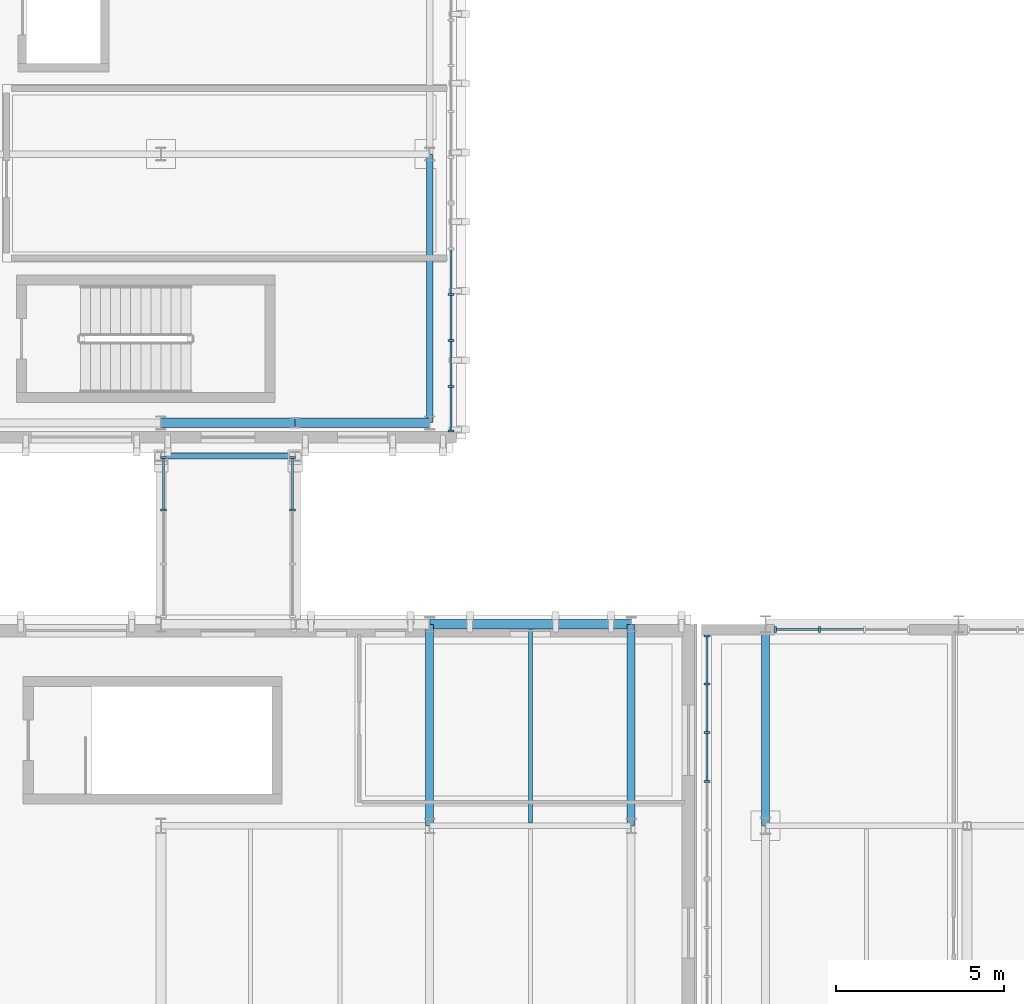
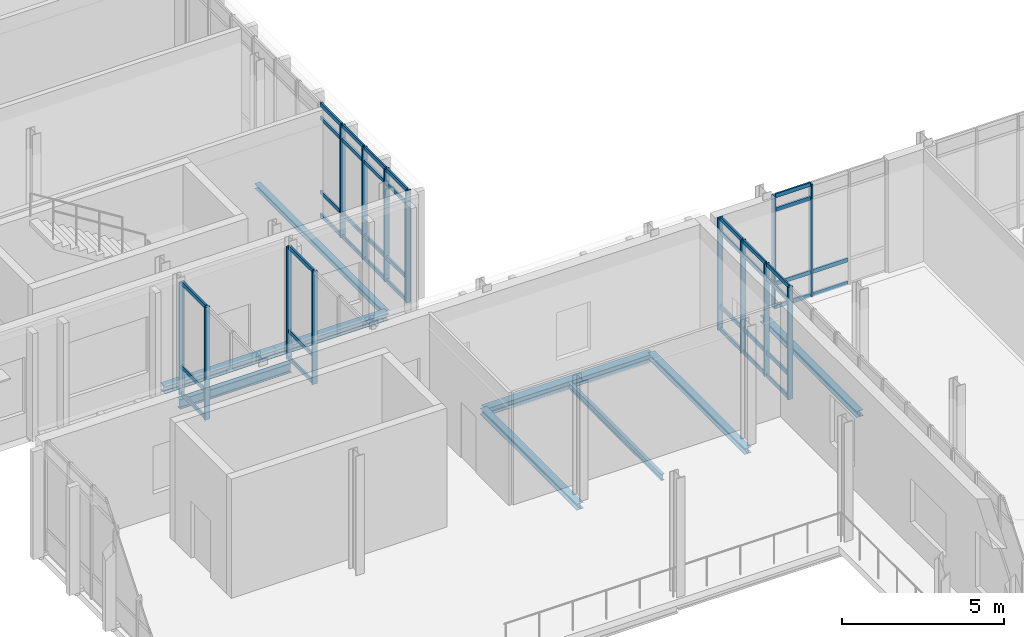
# One storey, part 24 of 100: 54 members, 9 beams, 5 elements without a shape of their own.
"""IFC4 building model written with IfcOpenShell, lengths in metres."""

from ifc_helpers import new_model, si_unit, direction, frame, origin, origin_2d, place, context, subcontext, project, spatial, rectangle, i_section, extrude, material, material_profile, profile_set, type_object, element, aggregate, save


model = new_model("IFC4")

# Units and contexts
model_context = context("Model", 3, precision=1e-05, world=origin(), true_north=direction((0.0, 1.0)))
body_context = subcontext(model_context, "Body", "Model", "MODEL_VIEW")
ifc_project = project(units=[si_unit("LENGTHUNIT", "METRE"), si_unit("AREAUNIT", "SQUARE_METRE"), si_unit("VOLUMEUNIT", "CUBIC_METRE"), si_unit("PLANEANGLEUNIT", "RADIAN"), si_unit("MASSUNIT", "GRAM", prefix="KILO")], contexts=[model_context])

# Site, building, storey
site_placement = place(None, origin())
site = spatial("IfcSite", under=ifc_project, at=site_placement, CompositionType="ELEMENT")
building_placement = place(site_placement, origin())
building = spatial("IfcBuilding", under=site, at=building_placement, Name="Cymarion Research Institute", CompositionType="ELEMENT")
storey_placement = place(building_placement, frame((0.0, 0.0, 9.300048828125)))
storey = spatial("IfcBuildingStorey", under=building, at=storey_placement, Name="L02", CompositionType="ELEMENT", Elevation=9.300048828125)

# Curtain wall, members
ifc_material_1 = material(Name="Anodised aluminium unitised curtain wall with Low-E glazing", Category="aluminium")
curtain_wall_type_1 = type_object("IfcCurtainWallType", Name="UNITISED CURTAIN WALL CW13 4030X4250", PredefinedType="NOTDEFINED", material=ifc_material_1)
curtain_wall_1_placement = place(storey_placement, origin())
curtain_wall_1 = element("IfcCurtainWall", 1, at=curtain_wall_1_placement, inside=storey, type_object=curtain_wall_type_1, Name="L02 V2 unitised curtain wall CW13 #87", PredefinedType="NOTDEFINED")
ifc_material_2 = material(Name="Anodised aluminium framing", Category="aluminium")
ifc_material_profile_1 = material_profile(ifc_material_2, rectangle(XDim=0.06005859375, YDim=0.179931640625, at=origin_2d()), Name="ALU MULLION 60x180")
ifc_profile_set_1 = profile_set([ifc_material_profile_1], Name="Anodised aluminium framing")
member_type_1 = type_object("IfcMemberType", Name="CURTAIN WALL MULLION ML01 60X180", PredefinedType="MULLION", material=ifc_profile_set_1)
member_1_placement = place(storey_placement, frame((58.202392578125, 41.340087890625, 0.0), z_axis=(0.0, 0.0, 1.0), x_axis=(-1.0, 0.0, 0.0)))
member_1 = element("IfcMember", 2, at=member_1_placement, type_object=member_type_1, Name="CW13 mullion 3", PredefinedType="MULLION", context=body_context, shape_type="SweptSolid", body=[
    extrude(rectangle(XDim=0.06005859375, YDim=0.179931640625, at=origin_2d()), origin(), (0.0, 0.0, 1.0), 4.25),
])
member_2_placement = place(storey_placement, frame((56.889892578125, 41.340087890625, 0.0), z_axis=(0.0, 0.0, 1.0), x_axis=(-1.0, 0.0, 0.0)))
member_2 = element("IfcMember", 3, at=member_2_placement, type_object=member_type_1, Name="CW13 mullion 4", PredefinedType="MULLION", context=body_context, shape_type="SweptSolid", body=[
    extrude(rectangle(XDim=0.06005859375, YDim=0.179931640625, at=origin_2d()), origin(), (0.0, 0.0, 1.0), 4.25),
])

curtain_wall_type_2 = type_object("IfcCurtainWallType", Name="UNITISED CURTAIN WALL CW14 7260X4250", PredefinedType="NOTDEFINED", material=ifc_material_1)
curtain_wall_2_placement = place(storey_placement, origin())
curtain_wall_2 = element("IfcCurtainWall", 4, at=curtain_wall_2_placement, inside=storey, type_object=curtain_wall_type_2, Name="L02 V2 unitised curtain wall CW14 #88", PredefinedType="NOTDEFINED")
member_3_placement = place(storey_placement, frame((54.860107421875, 41.14990234375, 0.0), z_axis=(0.0, 0.0, 1.0), x_axis=(0.0, -1.0, 0.0)))
member_3 = element("IfcMember", 5, at=member_3_placement, type_object=member_type_1, Name="CW14 mullion 1", PredefinedType="MULLION", context=body_context, shape_type="SweptSolid", body=[
    extrude(rectangle(XDim=0.06005859375, YDim=0.179931640625, at=origin_2d()), origin(), (0.0, 0.0, 1.0), 4.25),
])
member_4_placement = place(storey_placement, frame((54.860107421875, 39.728759765625, 0.0), z_axis=(0.0, 0.0, 1.0), x_axis=(0.0, -1.0, 0.0)))
member_4 = element("IfcMember", 6, at=member_4_placement, type_object=member_type_1, Name="CW14 mullion 2", PredefinedType="MULLION", context=body_context, shape_type="SweptSolid", body=[
    extrude(rectangle(XDim=0.06005859375, YDim=0.179931640625, at=origin_2d()), origin(), (0.0, 0.0, 1.0), 4.25),
])
member_5_placement = place(storey_placement, frame((54.860107421875, 38.277587890625, 0.0), z_axis=(0.0, 0.0, 1.0), x_axis=(0.0, -1.0, 0.0)))
member_5 = element("IfcMember", 7, at=member_5_placement, type_object=member_type_1, Name="CW14 mullion 3", PredefinedType="MULLION", context=body_context, shape_type="SweptSolid", body=[
    extrude(rectangle(XDim=0.06005859375, YDim=0.179931640625, at=origin_2d()), origin(), (0.0, 0.0, 1.0), 4.25),
])
member_6_placement = place(storey_placement, frame((54.860107421875, 36.826416015625, 0.0), z_axis=(0.0, 0.0, 1.0), x_axis=(0.0, -1.0, 0.0)))
member_6 = element("IfcMember", 8, at=member_6_placement, type_object=member_type_1, Name="CW14 mullion 4", PredefinedType="MULLION", context=body_context, shape_type="SweptSolid", body=[
    extrude(rectangle(XDim=0.06005859375, YDim=0.179931640625, at=origin_2d()), origin(), (0.0, 0.0, 1.0), 4.25),
])

curtain_wall_type_3 = type_object("IfcCurtainWallType", Name="UNITISED CURTAIN WALL CW20 6820X4250", PredefinedType="NOTDEFINED", material=ifc_material_1)
curtain_wall_3_placement = place(storey_placement, origin())
curtain_wall_3 = element("IfcCurtainWall", 9, at=curtain_wall_3_placement, inside=storey, type_object=curtain_wall_type_3, Name="L02 V4 unitised curtain wall CW20 #98", PredefinedType="NOTDEFINED")
member_7_placement = place(storey_placement, frame((47.22998046875, 47.251953125, 0.0), z_axis=(0.0, 0.0, 1.0), x_axis=(0.0, 1.0, 0.0)))
member_7 = element("IfcMember", 10, at=member_7_placement, type_object=member_type_1, Name="CW20 mullion 1", PredefinedType="MULLION", context=body_context, shape_type="SweptSolid", body=[
    extrude(rectangle(XDim=0.06005859375, YDim=0.179931640625, at=origin_2d()), origin(), (0.0, 0.0, 1.0), 4.25),
])
member_8_placement = place(storey_placement, frame((47.22998046875, 48.5859375, 0.0), z_axis=(0.0, 0.0, 1.0), x_axis=(0.0, 1.0, 0.0)))
member_8 = element("IfcMember", 11, at=member_8_placement, type_object=member_type_1, Name="CW20 mullion 2", PredefinedType="MULLION", context=body_context, shape_type="SweptSolid", body=[
    extrude(rectangle(XDim=0.06005859375, YDim=0.179931640625, at=origin_2d()), origin(), (0.0, 0.0, 1.0), 4.25),
])
member_9_placement = place(storey_placement, frame((47.22998046875, 49.94970703125, 0.0), z_axis=(0.0, 0.0, 1.0), x_axis=(0.0, 1.0, 0.0)))
member_9 = element("IfcMember", 12, at=member_9_placement, type_object=member_type_1, Name="CW20 mullion 3", PredefinedType="MULLION", context=body_context, shape_type="SweptSolid", body=[
    extrude(rectangle(XDim=0.06005859375, YDim=0.179931640625, at=origin_2d()), origin(), (0.0, 0.0, 1.0), 4.25),
])
member_10_placement = place(storey_placement, frame((47.22998046875, 51.313720703125, 0.0), z_axis=(0.0, 0.0, 1.0), x_axis=(0.0, 1.0, 0.0)))
member_10 = element("IfcMember", 13, at=member_10_placement, type_object=member_type_1, Name="CW20 mullion 4", PredefinedType="MULLION", context=body_context, shape_type="SweptSolid", body=[
    extrude(rectangle(XDim=0.06005859375, YDim=0.179931640625, at=origin_2d()), origin(), (0.0, 0.0, 1.0), 4.25),
])

curtain_wall_type_4 = type_object("IfcCurtainWallType", Name="UNITISED CURTAIN WALL CW24 4800X4260", PredefinedType="NOTDEFINED", material=ifc_material_1)
curtain_wall_4_placement = place(storey_placement, origin())
curtain_wall_4 = element("IfcCurtainWall", 14, at=curtain_wall_4_placement, inside=storey, type_object=curtain_wall_type_4, Name="L02 SP1 sky-passage glazed wall 1", PredefinedType="NOTDEFINED")
member_11_placement = place(storey_placement, frame((38.679931640625, 44.89990234375, 0.0), z_axis=(0.0, 0.0, 1.0), x_axis=(0.0, 1.0, 0.0)))
member_11 = element("IfcMember", 15, at=member_11_placement, type_object=member_type_1, Name="CW24 mullion 3", PredefinedType="MULLION", context=body_context, shape_type="SweptSolid", body=[
    extrude(rectangle(XDim=0.06005859375, YDim=0.179931640625, at=origin_2d()), origin(), (0.0, 0.0, 1.0), 4.260009765625),
])
member_12_placement = place(storey_placement, frame((38.679931640625, 46.469970703125, 0.0), z_axis=(0.0, 0.0, 1.0), x_axis=(0.0, 1.0, 0.0)))
member_12 = element("IfcMember", 16, at=member_12_placement, type_object=member_type_1, Name="CW24 mullion 4", PredefinedType="MULLION", context=body_context, shape_type="SweptSolid", body=[
    extrude(rectangle(XDim=0.06005859375, YDim=0.179931640625, at=origin_2d()), origin(), (0.0, 0.0, 1.0), 4.260009765625),
])

curtain_wall_5_placement = place(storey_placement, origin())
curtain_wall_5 = element("IfcCurtainWall", 17, at=curtain_wall_5_placement, inside=storey, type_object=curtain_wall_type_4, Name="L02 SP1 sky-passage glazed wall 2", PredefinedType="NOTDEFINED")
member_13_placement = place(storey_placement, frame((42.52001953125, 44.89990234375, 0.0), z_axis=(0.0, 0.0, 1.0), x_axis=(0.0, 1.0, 0.0)))
member_13 = element("IfcMember", 18, at=member_13_placement, type_object=member_type_1, Name="CW24 mullion 3", PredefinedType="MULLION", context=body_context, shape_type="SweptSolid", body=[
    extrude(rectangle(XDim=0.06005859375, YDim=0.179931640625, at=origin_2d()), origin(), (0.0, 0.0, 1.0), 4.260009765625),
])
member_14_placement = place(storey_placement, frame((42.52001953125, 46.469970703125, 0.0), z_axis=(0.0, 0.0, 1.0), x_axis=(0.0, 1.0, 0.0)))
member_14 = element("IfcMember", 19, at=member_14_placement, type_object=member_type_1, Name="CW24 mullion 4", PredefinedType="MULLION", context=body_context, shape_type="SweptSolid", body=[
    extrude(rectangle(XDim=0.06005859375, YDim=0.179931640625, at=origin_2d()), origin(), (0.0, 0.0, 1.0), 4.260009765625),
])

# Member
ifc_material_profile_2 = material_profile(ifc_material_2, rectangle(XDim=0.06005859375, YDim=0.14990234375, at=origin_2d()), Name="ALU TRANSOM 60x150")
ifc_profile_set_2 = profile_set([ifc_material_profile_2], Name="Anodised aluminium framing")
member_type_2 = type_object("IfcMemberType", Name="CURTAIN WALL TRANSOM TR01 60X150", PredefinedType="USERDEFINED", material=ifc_profile_set_2)
member_15_placement = place(storey_placement, frame((59.514892578125, 41.340087890625, 0.030029296875), z_axis=(-1.0, 0.0, 0.0), x_axis=(0.0, -1.0, 0.0)))
member_15 = element("IfcMember", 20, at=member_15_placement, type_object=member_type_2, Name="CW13 transom 2.1", ObjectType="TRANSOM", PredefinedType="USERDEFINED", context=body_context, shape_type="SweptSolid", body=[
    extrude(rectangle(XDim=0.06005859375, YDim=0.14990234375, at=origin_2d()), origin(), (0.0, 0.0, 1.0), 1.282470703125),
])

member_16_placement = place(storey_placement, frame((59.514892578125, 41.340087890625, 0.89990234375), z_axis=(-1.0, 0.0, 0.0), x_axis=(0.0, -1.0, 0.0)))
member_16 = element("IfcMember", 21, at=member_16_placement, type_object=member_type_2, Name="CW13 transom 2.2", ObjectType="TRANSOM", PredefinedType="USERDEFINED", context=body_context, shape_type="SweptSolid", body=[
    extrude(rectangle(XDim=0.06005859375, YDim=0.14990234375, at=origin_2d()), origin(), (0.0, 0.0, 1.0), 1.282470703125),
])

member_17_placement = place(storey_placement, frame((58.17236328125, 41.340087890625, 0.030029296875), z_axis=(-1.0, 0.0, 0.0), x_axis=(0.0, -1.0, 0.0)))
member_17 = element("IfcMember", 22, at=member_17_placement, type_object=member_type_2, Name="CW13 transom 3.1", ObjectType="TRANSOM", PredefinedType="USERDEFINED", context=body_context, shape_type="SweptSolid", body=[
    extrude(rectangle(XDim=0.06005859375, YDim=0.14990234375, at=origin_2d()), origin(), (0.0, 0.0, 1.0), 1.25244140625),
])

member_18_placement = place(storey_placement, frame((58.17236328125, 41.340087890625, 0.89990234375), z_axis=(-1.0, 0.0, 0.0), x_axis=(0.0, -1.0, 0.0)))
member_18 = element("IfcMember", 23, at=member_18_placement, type_object=member_type_2, Name="CW13 transom 3.2", ObjectType="TRANSOM", PredefinedType="USERDEFINED", context=body_context, shape_type="SweptSolid", body=[
    extrude(rectangle(XDim=0.06005859375, YDim=0.14990234375, at=origin_2d()), origin(), (0.0, 0.0, 1.0), 1.25244140625),
])

member_19_placement = place(storey_placement, frame((58.17236328125, 41.340087890625, 3.699951171875), z_axis=(-1.0, 0.0, 0.0), x_axis=(0.0, -1.0, 0.0)))
member_19 = element("IfcMember", 24, at=member_19_placement, type_object=member_type_2, Name="CW13 transom 3.3", ObjectType="TRANSOM", PredefinedType="USERDEFINED", context=body_context, shape_type="SweptSolid", body=[
    extrude(rectangle(XDim=0.06005859375, YDim=0.14990234375, at=origin_2d()), origin(), (0.0, 0.0, 1.0), 1.25244140625),
])

member_20_placement = place(storey_placement, frame((58.17236328125, 41.340087890625, 4.219970703125), z_axis=(-1.0, 0.0, 0.0), x_axis=(0.0, -1.0, 0.0)))
member_20 = element("IfcMember", 25, at=member_20_placement, type_object=member_type_2, Name="CW13 transom 3.4", ObjectType="TRANSOM", PredefinedType="USERDEFINED", context=body_context, shape_type="SweptSolid", body=[
    extrude(rectangle(XDim=0.06005859375, YDim=0.14990234375, at=origin_2d()), origin(), (0.0, 0.0, 1.0), 1.25244140625),
])

aggregate(curtain_wall_1, [member_1, member_2, member_15, member_16, member_17, member_18, member_19, member_20])

member_21_placement = place(storey_placement, frame((54.860107421875, 41.1201171875, 0.030029296875), z_axis=(0.0, -1.0, 0.0), x_axis=(1.0, 0.0, 0.0)))
member_21 = element("IfcMember", 26, at=member_21_placement, type_object=member_type_2, Name="CW14 transom 1.1", ObjectType="TRANSOM", PredefinedType="USERDEFINED", context=body_context, shape_type="SweptSolid", body=[
    extrude(rectangle(XDim=0.06005859375, YDim=0.14990234375, at=origin_2d()), origin(), (0.0, 0.0, 1.0), 1.361328125),
])

member_22_placement = place(storey_placement, frame((54.860107421875, 41.1201171875, 0.89990234375), z_axis=(0.0, -1.0, 0.0), x_axis=(1.0, 0.0, 0.0)))
member_22 = element("IfcMember", 27, at=member_22_placement, type_object=member_type_2, Name="CW14 transom 1.2", ObjectType="TRANSOM", PredefinedType="USERDEFINED", context=body_context, shape_type="SweptSolid", body=[
    extrude(rectangle(XDim=0.06005859375, YDim=0.14990234375, at=origin_2d()), origin(), (0.0, 0.0, 1.0), 1.361328125),
])

member_23_placement = place(storey_placement, frame((54.860107421875, 41.1201171875, 3.699951171875), z_axis=(0.0, -1.0, 0.0), x_axis=(1.0, 0.0, 0.0)))
member_23 = element("IfcMember", 28, at=member_23_placement, type_object=member_type_2, Name="CW14 transom 1.3", ObjectType="TRANSOM", PredefinedType="USERDEFINED", context=body_context, shape_type="SweptSolid", body=[
    extrude(rectangle(XDim=0.06005859375, YDim=0.14990234375, at=origin_2d()), origin(), (0.0, 0.0, 1.0), 1.361328125),
])

member_24_placement = place(storey_placement, frame((54.860107421875, 41.1201171875, 4.219970703125), z_axis=(0.0, -1.0, 0.0), x_axis=(1.0, 0.0, 0.0)))
member_24 = element("IfcMember", 29, at=member_24_placement, type_object=member_type_2, Name="CW14 transom 1.4", ObjectType="TRANSOM", PredefinedType="USERDEFINED", context=body_context, shape_type="SweptSolid", body=[
    extrude(rectangle(XDim=0.06005859375, YDim=0.14990234375, at=origin_2d()), origin(), (0.0, 0.0, 1.0), 1.361328125),
])

member_25_placement = place(storey_placement, frame((54.860107421875, 39.69873046875, 0.030029296875), z_axis=(0.0, -1.0, 0.0), x_axis=(1.0, 0.0, 0.0)))
member_25 = element("IfcMember", 30, at=member_25_placement, type_object=member_type_2, Name="CW14 transom 2.1", ObjectType="TRANSOM", PredefinedType="USERDEFINED", context=body_context, shape_type="SweptSolid", body=[
    extrude(rectangle(XDim=0.06005859375, YDim=0.14990234375, at=origin_2d()), origin(), (0.0, 0.0, 1.0), 1.39111328125),
])

member_26_placement = place(storey_placement, frame((54.860107421875, 39.69873046875, 0.89990234375), z_axis=(0.0, -1.0, 0.0), x_axis=(1.0, 0.0, 0.0)))
member_26 = element("IfcMember", 31, at=member_26_placement, type_object=member_type_2, Name="CW14 transom 2.2", ObjectType="TRANSOM", PredefinedType="USERDEFINED", context=body_context, shape_type="SweptSolid", body=[
    extrude(rectangle(XDim=0.06005859375, YDim=0.14990234375, at=origin_2d()), origin(), (0.0, 0.0, 1.0), 1.39111328125),
])

member_27_placement = place(storey_placement, frame((54.860107421875, 39.69873046875, 3.699951171875), z_axis=(0.0, -1.0, 0.0), x_axis=(1.0, 0.0, 0.0)))
member_27 = element("IfcMember", 32, at=member_27_placement, type_object=member_type_2, Name="CW14 transom 2.3", ObjectType="TRANSOM", PredefinedType="USERDEFINED", context=body_context, shape_type="SweptSolid", body=[
    extrude(rectangle(XDim=0.06005859375, YDim=0.14990234375, at=origin_2d()), origin(), (0.0, 0.0, 1.0), 1.39111328125),
])

member_28_placement = place(storey_placement, frame((54.860107421875, 39.69873046875, 4.219970703125), z_axis=(0.0, -1.0, 0.0), x_axis=(1.0, 0.0, 0.0)))
member_28 = element("IfcMember", 33, at=member_28_placement, type_object=member_type_2, Name="CW14 transom 2.4", ObjectType="TRANSOM", PredefinedType="USERDEFINED", context=body_context, shape_type="SweptSolid", body=[
    extrude(rectangle(XDim=0.06005859375, YDim=0.14990234375, at=origin_2d()), origin(), (0.0, 0.0, 1.0), 1.39111328125),
])

member_29_placement = place(storey_placement, frame((54.860107421875, 38.24755859375, 0.030029296875), z_axis=(0.0, -1.0, 0.0), x_axis=(1.0, 0.0, 0.0)))
member_29 = element("IfcMember", 34, at=member_29_placement, type_object=member_type_2, Name="CW14 transom 3.1", ObjectType="TRANSOM", PredefinedType="USERDEFINED", context=body_context, shape_type="SweptSolid", body=[
    extrude(rectangle(XDim=0.06005859375, YDim=0.14990234375, at=origin_2d()), origin(), (0.0, 0.0, 1.0), 1.39111328125),
])

member_30_placement = place(storey_placement, frame((54.860107421875, 38.24755859375, 0.89990234375), z_axis=(0.0, -1.0, 0.0), x_axis=(1.0, 0.0, 0.0)))
member_30 = element("IfcMember", 35, at=member_30_placement, type_object=member_type_2, Name="CW14 transom 3.2", ObjectType="TRANSOM", PredefinedType="USERDEFINED", context=body_context, shape_type="SweptSolid", body=[
    extrude(rectangle(XDim=0.06005859375, YDim=0.14990234375, at=origin_2d()), origin(), (0.0, 0.0, 1.0), 1.39111328125),
])

member_31_placement = place(storey_placement, frame((54.860107421875, 38.24755859375, 3.699951171875), z_axis=(0.0, -1.0, 0.0), x_axis=(1.0, 0.0, 0.0)))
member_31 = element("IfcMember", 36, at=member_31_placement, type_object=member_type_2, Name="CW14 transom 3.3", ObjectType="TRANSOM", PredefinedType="USERDEFINED", context=body_context, shape_type="SweptSolid", body=[
    extrude(rectangle(XDim=0.06005859375, YDim=0.14990234375, at=origin_2d()), origin(), (0.0, 0.0, 1.0), 1.39111328125),
])

member_32_placement = place(storey_placement, frame((54.860107421875, 38.24755859375, 4.219970703125), z_axis=(0.0, -1.0, 0.0), x_axis=(1.0, 0.0, 0.0)))
member_32 = element("IfcMember", 37, at=member_32_placement, type_object=member_type_2, Name="CW14 transom 3.4", ObjectType="TRANSOM", PredefinedType="USERDEFINED", context=body_context, shape_type="SweptSolid", body=[
    extrude(rectangle(XDim=0.06005859375, YDim=0.14990234375, at=origin_2d()), origin(), (0.0, 0.0, 1.0), 1.39111328125),
])

aggregate(curtain_wall_2, [member_3, member_4, member_5, member_6, member_21, member_22, member_23, member_24, member_25, member_26, member_27, member_28, member_29, member_30, member_31, member_32])

member_33_placement = place(storey_placement, frame((47.22998046875, 47.281982421875, 0.030029296875), z_axis=(0.0, 1.0, 0.0), x_axis=(-1.0, 0.0, 0.0)))
member_33 = element("IfcMember", 38, at=member_33_placement, type_object=member_type_2, Name="CW20 transom 1.1", ObjectType="TRANSOM", PredefinedType="USERDEFINED", context=body_context, shape_type="SweptSolid", body=[
    extrude(rectangle(XDim=0.06005859375, YDim=0.14990234375, at=origin_2d()), origin(), (0.0, 0.0, 1.0), 1.27392578125),
])

member_34_placement = place(storey_placement, frame((47.22998046875, 47.281982421875, 0.89990234375), z_axis=(0.0, 1.0, 0.0), x_axis=(-1.0, 0.0, 0.0)))
member_34 = element("IfcMember", 39, at=member_34_placement, type_object=member_type_2, Name="CW20 transom 1.2", ObjectType="TRANSOM", PredefinedType="USERDEFINED", context=body_context, shape_type="SweptSolid", body=[
    extrude(rectangle(XDim=0.06005859375, YDim=0.14990234375, at=origin_2d()), origin(), (0.0, 0.0, 1.0), 1.27392578125),
])

member_35_placement = place(storey_placement, frame((47.22998046875, 47.281982421875, 3.699951171875), z_axis=(0.0, 1.0, 0.0), x_axis=(-1.0, 0.0, 0.0)))
member_35 = element("IfcMember", 40, at=member_35_placement, type_object=member_type_2, Name="CW20 transom 1.3", ObjectType="TRANSOM", PredefinedType="USERDEFINED", context=body_context, shape_type="SweptSolid", body=[
    extrude(rectangle(XDim=0.06005859375, YDim=0.14990234375, at=origin_2d()), origin(), (0.0, 0.0, 1.0), 1.27392578125),
])

member_36_placement = place(storey_placement, frame((47.22998046875, 47.281982421875, 4.219970703125), z_axis=(0.0, 1.0, 0.0), x_axis=(-1.0, 0.0, 0.0)))
member_36 = element("IfcMember", 41, at=member_36_placement, type_object=member_type_2, Name="CW20 transom 1.4", ObjectType="TRANSOM", PredefinedType="USERDEFINED", context=body_context, shape_type="SweptSolid", body=[
    extrude(rectangle(XDim=0.06005859375, YDim=0.14990234375, at=origin_2d()), origin(), (0.0, 0.0, 1.0), 1.27392578125),
])

member_37_placement = place(storey_placement, frame((47.22998046875, 48.615966796875, 0.030029296875), z_axis=(0.0, 1.0, 0.0), x_axis=(-1.0, 0.0, 0.0)))
member_37 = element("IfcMember", 42, at=member_37_placement, type_object=member_type_2, Name="CW20 transom 2.1", ObjectType="TRANSOM", PredefinedType="USERDEFINED", context=body_context, shape_type="SweptSolid", body=[
    extrude(rectangle(XDim=0.06005859375, YDim=0.14990234375, at=origin_2d()), origin(), (0.0, 0.0, 1.0), 1.303955078125),
])

member_38_placement = place(storey_placement, frame((47.22998046875, 48.615966796875, 0.89990234375), z_axis=(0.0, 1.0, 0.0), x_axis=(-1.0, 0.0, 0.0)))
member_38 = element("IfcMember", 43, at=member_38_placement, type_object=member_type_2, Name="CW20 transom 2.2", ObjectType="TRANSOM", PredefinedType="USERDEFINED", context=body_context, shape_type="SweptSolid", body=[
    extrude(rectangle(XDim=0.06005859375, YDim=0.14990234375, at=origin_2d()), origin(), (0.0, 0.0, 1.0), 1.303955078125),
])

member_39_placement = place(storey_placement, frame((47.22998046875, 48.615966796875, 3.699951171875), z_axis=(0.0, 1.0, 0.0), x_axis=(-1.0, 0.0, 0.0)))
member_39 = element("IfcMember", 44, at=member_39_placement, type_object=member_type_2, Name="CW20 transom 2.3", ObjectType="TRANSOM", PredefinedType="USERDEFINED", context=body_context, shape_type="SweptSolid", body=[
    extrude(rectangle(XDim=0.06005859375, YDim=0.14990234375, at=origin_2d()), origin(), (0.0, 0.0, 1.0), 1.303955078125),
])

member_40_placement = place(storey_placement, frame((47.22998046875, 48.615966796875, 4.219970703125), z_axis=(0.0, 1.0, 0.0), x_axis=(-1.0, 0.0, 0.0)))
member_40 = element("IfcMember", 45, at=member_40_placement, type_object=member_type_2, Name="CW20 transom 2.4", ObjectType="TRANSOM", PredefinedType="USERDEFINED", context=body_context, shape_type="SweptSolid", body=[
    extrude(rectangle(XDim=0.06005859375, YDim=0.14990234375, at=origin_2d()), origin(), (0.0, 0.0, 1.0), 1.303955078125),
])

member_41_placement = place(storey_placement, frame((47.22998046875, 49.979736328125, 0.030029296875), z_axis=(0.0, 1.0, 0.0), x_axis=(-1.0, 0.0, 0.0)))
member_41 = element("IfcMember", 46, at=member_41_placement, type_object=member_type_2, Name="CW20 transom 3.1", ObjectType="TRANSOM", PredefinedType="USERDEFINED", context=body_context, shape_type="SweptSolid", body=[
    extrude(rectangle(XDim=0.06005859375, YDim=0.14990234375, at=origin_2d()), origin(), (0.0, 0.0, 1.0), 1.303955078125),
])

member_42_placement = place(storey_placement, frame((47.22998046875, 49.979736328125, 0.89990234375), z_axis=(0.0, 1.0, 0.0), x_axis=(-1.0, 0.0, 0.0)))
member_42 = element("IfcMember", 47, at=member_42_placement, type_object=member_type_2, Name="CW20 transom 3.2", ObjectType="TRANSOM", PredefinedType="USERDEFINED", context=body_context, shape_type="SweptSolid", body=[
    extrude(rectangle(XDim=0.06005859375, YDim=0.14990234375, at=origin_2d()), origin(), (0.0, 0.0, 1.0), 1.303955078125),
])

member_43_placement = place(storey_placement, frame((47.22998046875, 49.979736328125, 3.699951171875), z_axis=(0.0, 1.0, 0.0), x_axis=(-1.0, 0.0, 0.0)))
member_43 = element("IfcMember", 48, at=member_43_placement, type_object=member_type_2, Name="CW20 transom 3.3", ObjectType="TRANSOM", PredefinedType="USERDEFINED", context=body_context, shape_type="SweptSolid", body=[
    extrude(rectangle(XDim=0.06005859375, YDim=0.14990234375, at=origin_2d()), origin(), (0.0, 0.0, 1.0), 1.303955078125),
])

member_44_placement = place(storey_placement, frame((47.22998046875, 49.979736328125, 4.219970703125), z_axis=(0.0, 1.0, 0.0), x_axis=(-1.0, 0.0, 0.0)))
member_44 = element("IfcMember", 49, at=member_44_placement, type_object=member_type_2, Name="CW20 transom 3.4", ObjectType="TRANSOM", PredefinedType="USERDEFINED", context=body_context, shape_type="SweptSolid", body=[
    extrude(rectangle(XDim=0.06005859375, YDim=0.14990234375, at=origin_2d()), origin(), (0.0, 0.0, 1.0), 1.303955078125),
])

member_45_placement = place(storey_placement, frame((47.22998046875, 51.34375, 0.030029296875), z_axis=(0.0, 1.0, 0.0), x_axis=(-1.0, 0.0, 0.0)))
member_45 = element("IfcMember", 50, at=member_45_placement, type_object=member_type_2, Name="CW20 transom 4.1", ObjectType="TRANSOM", PredefinedType="USERDEFINED", context=body_context, shape_type="SweptSolid", body=[
    extrude(rectangle(XDim=0.06005859375, YDim=0.14990234375, at=origin_2d()), origin(), (0.0, 0.0, 1.0), 1.303955078125),
])

member_46_placement = place(storey_placement, frame((47.22998046875, 51.34375, 0.89990234375), z_axis=(0.0, 1.0, 0.0), x_axis=(-1.0, 0.0, 0.0)))
member_46 = element("IfcMember", 51, at=member_46_placement, type_object=member_type_2, Name="CW20 transom 4.2", ObjectType="TRANSOM", PredefinedType="USERDEFINED", context=body_context, shape_type="SweptSolid", body=[
    extrude(rectangle(XDim=0.06005859375, YDim=0.14990234375, at=origin_2d()), origin(), (0.0, 0.0, 1.0), 1.303955078125),
])

member_47_placement = place(storey_placement, frame((47.22998046875, 51.34375, 3.699951171875), z_axis=(0.0, 1.0, 0.0), x_axis=(-1.0, 0.0, 0.0)))
member_47 = element("IfcMember", 52, at=member_47_placement, type_object=member_type_2, Name="CW20 transom 4.3", ObjectType="TRANSOM", PredefinedType="USERDEFINED", context=body_context, shape_type="SweptSolid", body=[
    extrude(rectangle(XDim=0.06005859375, YDim=0.14990234375, at=origin_2d()), origin(), (0.0, 0.0, 1.0), 1.303955078125),
])

member_48_placement = place(storey_placement, frame((47.22998046875, 51.34375, 4.219970703125), z_axis=(0.0, 1.0, 0.0), x_axis=(-1.0, 0.0, 0.0)))
member_48 = element("IfcMember", 53, at=member_48_placement, type_object=member_type_2, Name="CW20 transom 4.4", ObjectType="TRANSOM", PredefinedType="USERDEFINED", context=body_context, shape_type="SweptSolid", body=[
    extrude(rectangle(XDim=0.06005859375, YDim=0.14990234375, at=origin_2d()), origin(), (0.0, 0.0, 1.0), 1.303955078125),
])

aggregate(curtain_wall_3, [member_7, member_8, member_9, member_10, member_33, member_34, member_35, member_36, member_37, member_38, member_39, member_40, member_41, member_42, member_43, member_44, member_45, member_46, member_47, member_48])

member_49_placement = place(storey_placement, frame((38.679931640625, 44.929931640625, 0.030029296875), z_axis=(0.0, 1.0, 0.0), x_axis=(-1.0, 0.0, 0.0)))
member_49 = element("IfcMember", 54, at=member_49_placement, type_object=member_type_2, Name="CW24 transom 3.1", ObjectType="TRANSOM", PredefinedType="USERDEFINED", context=body_context, shape_type="SweptSolid", body=[
    extrude(rectangle(XDim=0.06005859375, YDim=0.14990234375, at=origin_2d()), origin(), (0.0, 0.0, 1.0), 1.510009765625),
])

member_50_placement = place(storey_placement, frame((38.679931640625, 44.929931640625, 1.050048828125), z_axis=(0.0, 1.0, 0.0), x_axis=(-1.0, 0.0, 0.0)))
member_50 = element("IfcMember", 55, at=member_50_placement, type_object=member_type_2, Name="CW24 transom 3.2", ObjectType="TRANSOM", PredefinedType="USERDEFINED", context=body_context, shape_type="SweptSolid", body=[
    extrude(rectangle(XDim=0.06005859375, YDim=0.14990234375, at=origin_2d()), origin(), (0.0, 0.0, 1.0), 1.510009765625),
])

member_51_placement = place(storey_placement, frame((38.679931640625, 44.929931640625, 4.22998046875), z_axis=(0.0, 1.0, 0.0), x_axis=(-1.0, 0.0, 0.0)))
member_51 = element("IfcMember", 56, at=member_51_placement, type_object=member_type_2, Name="CW24 transom 3.3", ObjectType="TRANSOM", PredefinedType="USERDEFINED", context=body_context, shape_type="SweptSolid", body=[
    extrude(rectangle(XDim=0.06005859375, YDim=0.14990234375, at=origin_2d()), origin(), (0.0, 0.0, 1.0), 1.510009765625),
])

aggregate(curtain_wall_4, [member_11, member_12, member_49, member_50, member_51])

member_52_placement = place(storey_placement, frame((42.52001953125, 44.929931640625, 0.030029296875), z_axis=(0.0, 1.0, 0.0), x_axis=(-1.0, 0.0, 0.0)))
member_52 = element("IfcMember", 57, at=member_52_placement, type_object=member_type_2, Name="CW24 transom 3.1", ObjectType="TRANSOM", PredefinedType="USERDEFINED", context=body_context, shape_type="SweptSolid", body=[
    extrude(rectangle(XDim=0.06005859375, YDim=0.14990234375, at=origin_2d()), origin(), (0.0, 0.0, 1.0), 1.510009765625),
])

member_53_placement = place(storey_placement, frame((42.52001953125, 44.929931640625, 1.050048828125), z_axis=(0.0, 1.0, 0.0), x_axis=(-1.0, 0.0, 0.0)))
member_53 = element("IfcMember", 58, at=member_53_placement, type_object=member_type_2, Name="CW24 transom 3.2", ObjectType="TRANSOM", PredefinedType="USERDEFINED", context=body_context, shape_type="SweptSolid", body=[
    extrude(rectangle(XDim=0.06005859375, YDim=0.14990234375, at=origin_2d()), origin(), (0.0, 0.0, 1.0), 1.510009765625),
])

member_54_placement = place(storey_placement, frame((42.52001953125, 44.929931640625, 4.22998046875), z_axis=(0.0, 1.0, 0.0), x_axis=(-1.0, 0.0, 0.0)))
member_54 = element("IfcMember", 59, at=member_54_placement, type_object=member_type_2, Name="CW24 transom 3.3", ObjectType="TRANSOM", PredefinedType="USERDEFINED", context=body_context, shape_type="SweptSolid", body=[
    extrude(rectangle(XDim=0.06005859375, YDim=0.14990234375, at=origin_2d()), origin(), (0.0, 0.0, 1.0), 1.510009765625),
])

aggregate(curtain_wall_5, [member_13, member_14, member_52, member_53, member_54])

# Beams
ifc_material_3 = material(Name="Steel S355", Category="steel")
ifc_material_profile_3 = material_profile(ifc_material_3, i_section(OverallWidth=0.169921875, OverallDepth=0.360107421875, WebThickness=0.008056640625, FlangeThickness=0.0126953125, FilletRadius=0.01806640625, at=origin_2d()), Name="IPE 360")
ifc_profile_set_3 = profile_set([ifc_material_profile_3], Name="Steel S355")
beam_type_1 = type_object("IfcBeamType", Name="PRIMARY GIRDER BM06 IPE 360", PredefinedType="BEAM", material=ifc_profile_set_3)
beam_1_placement = place(storey_placement, frame((38.60595703125, 46.5, -0.340087890625), z_axis=(1.0, 0.0, 0.0), x_axis=(0.0, 1.0, 0.0)))
element("IfcBeam", 60, at=beam_1_placement, inside=storey, type_object=beam_type_1, Name="L02 V3 girder BM06 #969", PredefinedType="BEAM", context=body_context, shape_type="SweptSolid", body=[
    extrude(i_section(OverallWidth=0.169921875, OverallDepth=0.360107421875, WebThickness=0.008056640625, FlangeThickness=0.0126953125, FilletRadius=0.01806640625, at=origin_2d()), origin(), (0.0, 0.0, 1.0), 3.988037109375),
])
ifc_material_profile_4 = material_profile(ifc_material_3, i_section(OverallWidth=0.1201171875, OverallDepth=0.239990234375, WebThickness=0.006103515625, FlangeThickness=0.009765625, FilletRadius=0.014892578125, at=origin_2d()), Name="IPE 240")
ifc_profile_set_4 = profile_set([ifc_material_profile_4], Name="Steel S355")
beam_type_2 = type_object("IfcBeamType", Name="SECONDARY JOIST JS04 IPE 240", PredefinedType="JOIST", material=ifc_profile_set_4)
beam_2_placement = place(storey_placement, frame((49.60009765625, 35.589111328125, -0.3701171875), z_axis=(0.0, 1.0, 0.0), x_axis=(-1.0, 0.0, 0.0)))
element("IfcBeam", 61, at=beam_2_placement, inside=storey, type_object=beam_type_2, Name="L02 V3 secondary joist JS04 #1027", PredefinedType="JOIST", context=body_context, shape_type="SweptSolid", body=[
    extrude(i_section(OverallWidth=0.1201171875, OverallDepth=0.239990234375, WebThickness=0.006103515625, FlangeThickness=0.009765625, FilletRadius=0.014892578125, at=origin_2d()), origin(), (0.0, 0.0, 1.0), 5.766845703125),
])
ifc_material_profile_5 = material_profile(ifc_material_3, i_section(OverallWidth=0.280029296875, OverallDepth=0.27001953125, WebThickness=0.008056640625, FlangeThickness=0.012939453125, FilletRadius=0.02392578125, at=origin_2d()), Name="HEA 280")
ifc_profile_set_5 = profile_set([ifc_material_profile_5], Name="Steel S355")
beam_type_3 = type_object("IfcBeamType", Name="SPANDREL BEAM SPB02 HEA 280", PredefinedType="SPANDREL", material=ifc_profile_set_5)
beam_3_placement = place(storey_placement, frame((46.60595703125, 41.5, -0.385009765625), z_axis=(1.0, 0.0, 0.0), x_axis=(0.0, 1.0, 0.0)))
element("IfcBeam", 62, at=beam_3_placement, inside=storey, type_object=beam_type_3, Name="L02 V3 girder SPB02 #968", PredefinedType="SPANDREL", context=body_context, shape_type="SweptSolid", body=[
    extrude(i_section(OverallWidth=0.280029296875, OverallDepth=0.27001953125, WebThickness=0.008056640625, FlangeThickness=0.012939453125, FilletRadius=0.02392578125, at=origin_2d()), origin(), (0.0, 0.0, 1.0), 5.988037109375),
])
for number, where, z_axis, x_axis, name in (
    (63, (38.60595703125, 47.5, -0.385009765625), (1.0, 0.0, 0.0), (0.0, 1.0, 0.0), "L02 V4 girder SPB02 #1032"),
    (64, (42.60595703125, 47.5, -0.385009765625), (1.0, 0.0, 0.0), (0.0, 1.0, 0.0), "L02 V4 girder SPB02 #1033"),
):
    element("IfcBeam", number, at=place(storey_placement, frame(where, z_axis=z_axis, x_axis=x_axis)), inside=storey, type_object=beam_type_3, Name=name, PredefinedType="SPANDREL", context=body_context, shape_type="SweptSolid", body=[
        extrude(i_section(OverallWidth=0.280029296875, OverallDepth=0.27001953125, WebThickness=0.008056640625, FlangeThickness=0.012939453125, FilletRadius=0.02392578125, at=origin_2d()), origin(), (0.0, 0.0, 1.0), 3.988037109375),
    ])
ifc_material_profile_6 = material_profile(ifc_material_3, i_section(OverallWidth=0.239990234375, OverallDepth=0.22998046875, WebThickness=0.007568359375, FlangeThickness=0.011962890625, FilletRadius=0.02099609375, at=origin_2d()), Name="HEA 240")
ifc_profile_set_6 = profile_set([ifc_material_profile_6], Name="Steel S355")
beam_type_4 = type_object("IfcBeamType", Name="SPANDREL BEAM SPB03 HEA 240", PredefinedType="SPANDREL", material=ifc_profile_set_6)
for number, where, z_axis, x_axis, name in (
    (65, (56.60009765625, 35.506103515625, -0.364990234375), (0.0, 1.0, 0.0), (-1.0, 0.0, 0.0), "L02 V2 girder SPB03 #910"),
    (66, (46.60009765625, 35.506103515625, -0.364990234375), (0.0, 1.0, 0.0), (-1.0, 0.0, 0.0), "L02 V3 girder SPB03 #991"),
    (67, (52.60009765625, 35.506103515625, -0.364990234375), (0.0, 1.0, 0.0), (-1.0, 0.0, 0.0), "L02 V3 girder SPB03 #997"),
):
    element("IfcBeam", number, at=place(storey_placement, frame(where, z_axis=z_axis, x_axis=x_axis)), inside=storey, type_object=beam_type_4, Name=name, PredefinedType="SPANDREL", context=body_context, shape_type="SweptSolid", body=[
        extrude(i_section(OverallWidth=0.239990234375, OverallDepth=0.22998046875, WebThickness=0.007568359375, FlangeThickness=0.011962890625, FilletRadius=0.02099609375, at=origin_2d()), origin(), (0.0, 0.0, 1.0), 5.98779296875),
    ])
ifc_material_profile_7 = material_profile(ifc_material_3, i_section(OverallWidth=0.199951171875, OverallDepth=0.18994140625, WebThickness=0.006591796875, FlangeThickness=0.010009765625, FilletRadius=0.01806640625, at=origin_2d()), Name="HEA 200")
ifc_profile_set_7 = profile_set([ifc_material_profile_7], Name="Steel S355")
beam_type_5 = type_object("IfcBeamType", Name="SPANDREL BEAM SPB04 HEA 200", PredefinedType="SPANDREL", material=ifc_profile_set_7)
beam_4_placement = place(storey_placement, frame((46.60009765625, 47.506103515625, -0.344970703125), z_axis=(0.0, 1.0, 0.0), x_axis=(-1.0, 0.0, 0.0)))
element("IfcBeam", 68, at=beam_4_placement, inside=storey, type_object=beam_type_5, Name="L02 V4 girder SPB04 #1073", PredefinedType="SPANDREL", context=body_context, shape_type="SweptSolid", body=[
    extrude(i_section(OverallWidth=0.199951171875, OverallDepth=0.18994140625, WebThickness=0.006591796875, FlangeThickness=0.010009765625, FilletRadius=0.01806640625, at=origin_2d()), origin(), (0.0, 0.0, 1.0), 7.98779296875),
])

save(model, "model.ifc")
